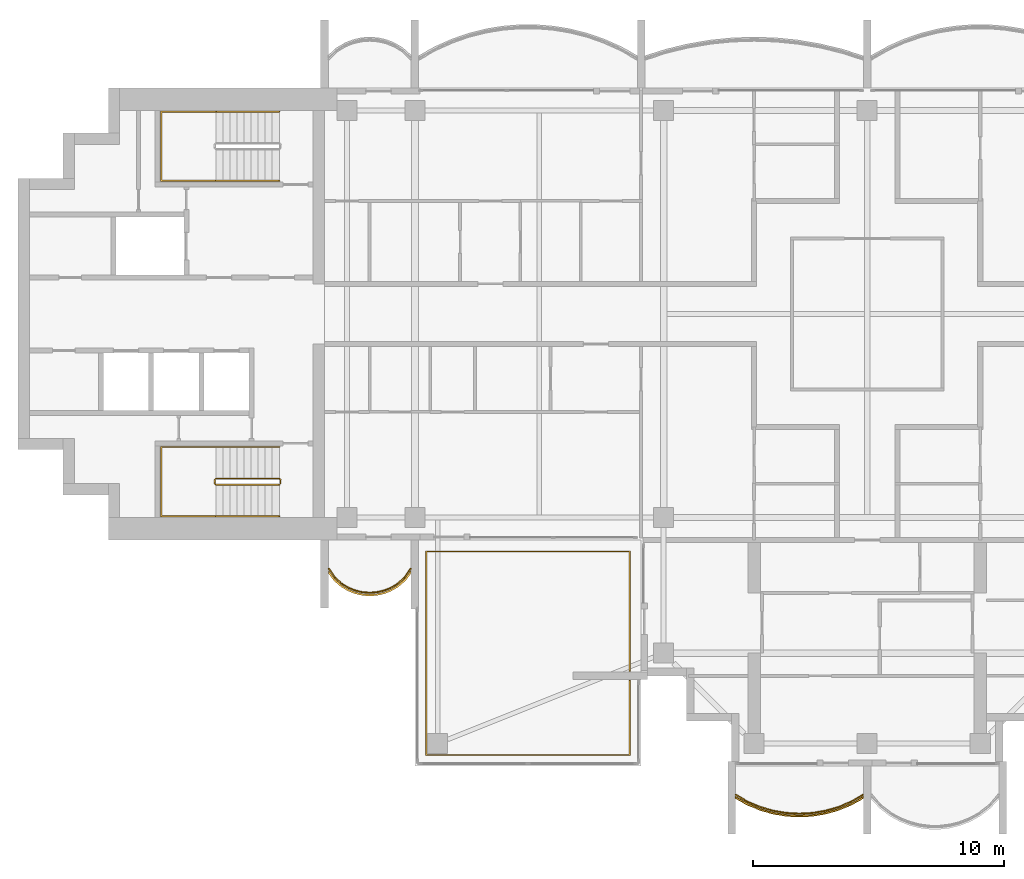
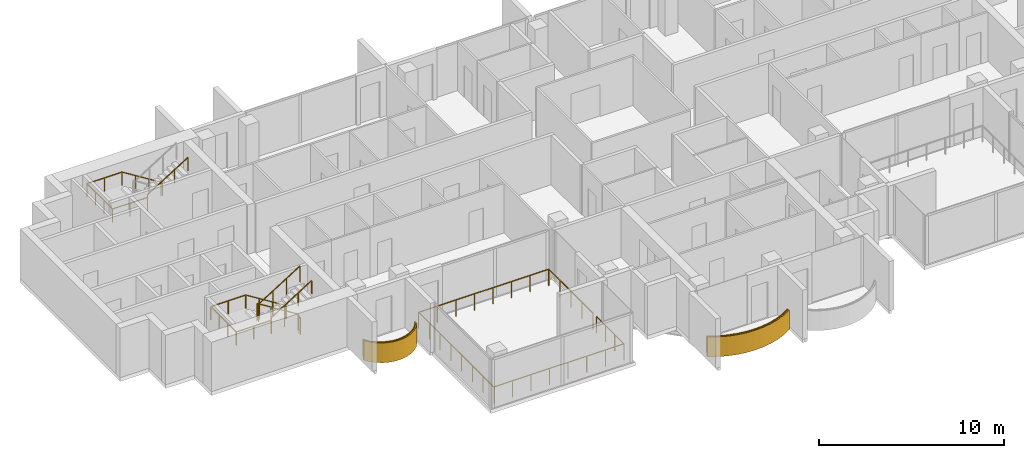
# One storey, part 13 of 16: 6 railings, 2 coverings.
"""IFC4 building model written with IfcOpenShell, lengths in metres."""

import ifcopenshell
import ifcopenshell.guid

model = None  # the IFC model being written
_history = None  # IfcOwnerHistory: only IFC2X3 demands one
_inside = {}  # id of a spatial element -> (the spatial element, [elements in it])
_under = {}  # id of a project, library or spatial element -> (it, [spatial elements below it])
_declared = {}  # id of a project -> (the project, [libraries it declares])
_typed = {}  # id of a type object -> (the type object, [elements of that type])
_made_of = {}  # id of a material, layer set ... -> (it, [elements and type objects made of it])


def new_model(schema):
    """Start an empty IFC model of exactly this schema.

    Asked for "IFC4X3", IfcOpenShell would pick the latest addendum, in which some entities
    have other attributes; the version numbers below select the first issue.
    IFC2X3 requires an IfcOwnerHistory on every rooted entity: one is made here for all.
    """
    global model, _history
    if schema == "IFC4X3":
        model = ifcopenshell.file(schema_version=(4, 3, 0, 0))
    else:
        model = ifcopenshell.file(schema=schema)
    _inside.clear()
    _under.clear()
    _declared.clear()
    _typed.clear()
    _made_of.clear()
    _history = None
    if model.schema == "IFC2X3":
        org = make("IfcOrganization", Name="unknown")
        user = make(
            "IfcPersonAndOrganization",
            ThePerson=make("IfcPerson", FamilyName="unknown"),
            TheOrganization=org,
        )
        app = make(
            "IfcApplication",
            ApplicationDeveloper=org,
            Version="unknown",
            ApplicationFullName="unknown",
            ApplicationIdentifier="unknown",
        )
        _history = make(
            "IfcOwnerHistory",
            OwningUser=user,
            OwningApplication=app,
            ChangeAction="ADDED",
            CreationDate=0,
        )
    return model


def make(cls, **values):
    """One entity of the class cls with the attributes given. An attribute that is None is left unset."""
    return model.create_entity(
        cls, **{name: value for name, value in values.items() if value is not None}
    )


def rooted(cls, **values):
    """An entity with a GlobalId (a new one), such as an element, a storey or a relation."""
    return make(cls, GlobalId=ifcopenshell.guid.new(), OwnerHistory=_history, **values)


def si_unit(unit_type, name, prefix=None):
    """IfcSIUnit, for example si_unit("LENGTHUNIT", "METRE", prefix="MILLI")."""
    return make("IfcSIUnit", UnitType=unit_type, Prefix=prefix, Name=name)


def assignment(units):
    """IfcUnitAssignment: the units of a project."""
    return None if units is None else make("IfcUnitAssignment", Units=units)


def point(xyz):
    """IfcCartesianPoint."""
    return None if xyz is None else make("IfcCartesianPoint", Coordinates=xyz)


def direction(xyz):
    """IfcDirection."""
    return None if xyz is None else make("IfcDirection", DirectionRatios=xyz)


def frame(location, z_axis=None, x_axis=None):
    """IfcAxis2Placement3D, a coordinate frame: its origin and axes. An axis left out is left unset."""
    return make(
        "IfcAxis2Placement3D",
        Location=point(location),
        Axis=direction(z_axis),
        RefDirection=direction(x_axis),
    )


def frame_2d(location, x_axis=None):
    """IfcAxis2Placement2D, a coordinate frame in the plane: its origin and x axis."""
    return make(
        "IfcAxis2Placement2D", Location=point(location), RefDirection=direction(x_axis)
    )


def origin():
    """The frame at (0, 0, 0) with its axes left unset."""
    return frame((0.0, 0.0, 0.0))


def origin_2d():
    """The frame at (0, 0) in the plane with its x axis left unset."""
    return frame_2d((0.0, 0.0))


def place(relative_to, where):
    """IfcLocalPlacement: puts the frame where relative to a parent placement (None: the world)."""
    return make(
        "IfcLocalPlacement", PlacementRelTo=relative_to, RelativePlacement=where
    )


def context(
    kind, dimensions, precision=None, world=None, true_north=None, identifier=None
):
    """IfcGeometricRepresentationContext, for example the 3D "Model" context."""
    return make(
        "IfcGeometricRepresentationContext",
        ContextIdentifier=identifier,
        ContextType=kind,
        CoordinateSpaceDimension=dimensions,
        Precision=precision,
        WorldCoordinateSystem=world,
        TrueNorth=true_north,
    )


def subcontext(parent, identifier, kind, view, scale=None):
    """IfcGeometricRepresentationSubContext, for example "Body" below "Model"."""
    return make(
        "IfcGeometricRepresentationSubContext",
        ContextIdentifier=identifier,
        ContextType=kind,
        ParentContext=parent,
        TargetScale=scale,
        TargetView=view,
    )


def project(units=None, contexts=None):
    """IfcProject with its units and contexts."""
    return rooted(
        "IfcProject",
        Name="project",
        RepresentationContexts=contexts,
        UnitsInContext=assignment(units),
    )


def spatial(cls, under=None, at=None, **own):
    """A site, building, storey or space (cls), placed at a placement, below another one or the project."""
    s = rooted(cls, ObjectPlacement=at, **own)
    if under is not None:
        _under.setdefault(under.id(), (under, []))[1].append(s)
    return s


def polyline(points):
    """IfcPolyline through the points."""
    return make("IfcPolyline", Points=[point(p) for p in points])


def profile(cls, at=None, kind="AREA", **sizes):
    """A parametric profile (cls). Its sizes go by their IFC names, for example OverallWidth=200.0."""
    return make(cls, ProfileType=kind, Position=at, **sizes)


def rectangle(**sizes):
    """IfcRectangleProfileDef."""
    return profile("IfcRectangleProfileDef", **sizes)


def outline(outer, holes=None, kind="AREA"):
    """IfcArbitraryClosedProfileDef: a profile drawn as a closed curve; with holes, ...WithVoids."""
    if holes is None:
        return make("IfcArbitraryClosedProfileDef", ProfileType=kind, OuterCurve=outer)
    return make(
        "IfcArbitraryProfileDefWithVoids",
        ProfileType=kind,
        OuterCurve=outer,
        InnerCurves=holes,
    )


def extrude(swept, where, along, depth):
    """IfcExtrudedAreaSolid: the profile swept, set in the frame where, extruded along a direction by depth."""
    return make(
        "IfcExtrudedAreaSolid",
        SweptArea=swept,
        Position=where,
        ExtrudedDirection=direction(along),
        Depth=depth,
    )


def shape(context_of_items, identifier, shape_type, items):
    """IfcShapeRepresentation: the items that make up one representation, for example the "Body"."""
    return make(
        "IfcShapeRepresentation",
        ContextOfItems=context_of_items,
        RepresentationIdentifier=identifier,
        RepresentationType=shape_type,
        Items=items,
    )


def material(Name=None, Category=None):
    """IfcMaterial."""
    return make("IfcMaterial", Name=Name, Category=Category)


def layer(
    of_material, thickness, ventilated=None, Name=None, Category=None, Priority=None
):
    """IfcMaterialLayer: one layer of a wall or slab, of a material (None: an air gap)."""
    return make(
        "IfcMaterialLayer",
        Material=of_material,
        LayerThickness=thickness,
        IsVentilated=ventilated,
        Name=Name,
        Category=Category,
        Priority=Priority,
    )


def layer_set(layers, Name=None):
    """IfcMaterialLayerSet."""
    return make("IfcMaterialLayerSet", MaterialLayers=layers, LayerSetName=Name)


def made_of(thing, what):
    """Note that an element or type object is made of a material, layer set ...; save() writes the relation."""
    if what is not None:
        _made_of.setdefault(what.id(), (what, []))[1].append(thing)
    return thing


def type_object(cls, material=None, **own):
    """A type object (cls), such as IfcWallType, which elements share."""
    return made_of(rooted(cls, **own), material)


def element(
    cls,
    number,
    at=None,
    inside=None,
    cuts=None,
    type_object=None,
    material=None,
    context=None,
    identifier="Body",
    shape_type=None,
    held_by="IfcProductDefinitionShape",
    body=None,
    shapes=None,
    **own,
):
    """One element of the class cls, such as IfcWall. Its Tag is "e" and its number.

    at: its placement. inside: the storey or other place that contains it. cuts: it is an
    opening in that element (IfcRelVoidsElement). A single representation is given by context,
    identifier, shape_type and body (its items); several are given by shapes. held_by: the class
    of the entity that holds the representations. save() writes the other relations.
    """
    e = rooted(cls, Tag="e%d" % number, ObjectPlacement=at, **own)
    if body is not None:
        shapes = [shape(context, identifier, shape_type, body)]
    if shapes is not None:
        e.Representation = make(held_by, Representations=shapes)
    if inside is not None:
        _inside.setdefault(inside.id(), (inside, []))[1].append(e)
    if cuts is not None:
        rooted(
            "IfcRelVoidsElement", RelatingBuildingElement=cuts, RelatedOpeningElement=e
        )
    if type_object is not None:
        _typed.setdefault(type_object.id(), (type_object, []))[1].append(e)
    return made_of(e, material)


def aggregate(whole, parts):
    """IfcRelAggregates: a whole, such as a stair, and the parts it consists of."""
    return rooted("IfcRelAggregates", RelatingObject=whole, RelatedObjects=parts)


def save(model, path):
    """Write the relations noted so far, then the file.

    IfcRelAggregates (storeys below a building ...), IfcRelContainedInSpatialStructure (elements
    in a storey), IfcRelDefinesByType, IfcRelAssociatesMaterial and IfcRelDeclares: one each for
    every whole, place, type object, material and project.
    """
    for whole, parts in _under.values():
        aggregate(whole, parts)
    for where, things in _inside.values():
        rooted(
            "IfcRelContainedInSpatialStructure",
            RelatedElements=things,
            RelatingStructure=where,
        )
    for kind, things in _typed.values():
        rooted("IfcRelDefinesByType", RelatedObjects=things, RelatingType=kind)
    for what, things in _made_of.values():
        rooted("IfcRelAssociatesMaterial", RelatedObjects=things, RelatingMaterial=what)
    for by, libraries in _declared.values():
        rooted("IfcRelDeclares", RelatingContext=by, RelatedDefinitions=libraries)
    model.write(path)


model = new_model("IFC4")

# Units and contexts
model_context = context("Model", 3, precision=1e-05, world=origin(), true_north=direction((0.0, 1.0)))
body_context = subcontext(model_context, "Body", "Model", "MODEL_VIEW")
ifc_project = project(units=[si_unit("LENGTHUNIT", "METRE"), si_unit("AREAUNIT", "SQUARE_METRE"), si_unit("VOLUMEUNIT", "CUBIC_METRE"), si_unit("PLANEANGLEUNIT", "RADIAN"), si_unit("MASSUNIT", "GRAM", prefix="KILO")], contexts=[model_context])

# Site, building, storey
site_placement = place(None, origin())
site = spatial("IfcSite", under=ifc_project, at=site_placement, CompositionType="ELEMENT")
building_placement = place(site_placement, origin())
building = spatial("IfcBuilding", under=site, at=building_placement, Name="Perihelion Cross Residences", CompositionType="ELEMENT")
storey_placement = place(building_placement, frame((0.0, 0.0, 236.0)))
storey = spatial("IfcBuildingStorey", under=building, at=storey_placement, Name="L59", CompositionType="ELEMENT", Elevation=236.0)

# Coverings
ifc_material_1 = material(Name="Bronze anodised aluminium", Category="aluminium")
ifc_layer = layer(ifc_material_1, 0.070068359375)
ifc_layer_set = layer_set([ifc_layer], Name="Balcony fascia 1300")
covering_type = type_object("IfcCoveringType", Name="Balcony fascia 1300", PredefinedType="CLADDING", material=ifc_layer_set)
covering_1_placement = place(storey_placement, frame((0.0, 0.0, -0.199951171875)))
element("IfcCovering", 1, at=covering_1_placement, inside=storey, type_object=covering_type, Name="Fascia BF1 L59 west side south bay 1", PredefinedType="CLADDING", context=body_context, shape_type="SweptSolid", body=[
    extrude(outline(polyline([(-21.226318359375, -10.616455078125), (-20.94091796875, -10.86328125), (-20.655517578125, -11.031494140625), (-20.370361328125, -11.142578125), (-20.085205078125, -11.206298828125), (-19.800048828125, -11.22705078125), (-19.514892578125, -11.206298828125), (-19.229736328125, -11.142578125), (-18.9443359375, -11.031494140625), (-18.6591796875, -10.86328125), (-18.373779296875, -10.616455078125), (-18.14990234375, -10.31689453125), (-18.14990234375, -10.199951171875), (-18.425048828125, -10.568603515625), (-18.699951171875, -10.806396484375), (-18.97509765625, -10.96875), (-19.25, -11.07568359375), (-19.52490234375, -11.136962890625), (-19.800048828125, -11.156982421875), (-20.074951171875, -11.136962890625), (-20.35009765625, -11.07568359375), (-20.625, -10.96875), (-20.89990234375, -10.806396484375), (-21.175048828125, -10.568603515625), (-21.449951171875, -10.199951171875), (-21.449951171875, -10.31689453125), (-21.226318359375, -10.616455078125)])), origin(), (0.0, 0.0, 1.0), 1.300048828125),
])
covering_2_placement = place(storey_placement, frame((0.0, 0.0, -0.199951171875)))
element("IfcCovering", 2, at=covering_2_placement, inside=storey, type_object=covering_type, Name="Fascia BF1 L59 south tip south bay 1", PredefinedType="CLADDING", context=body_context, shape_type="SweptSolid", body=[
    extrude(outline(polyline([(-4.7705078125, -19.54833984375), (-4.2529296875, -19.7607421875), (-3.735107421875, -19.906494140625), (-3.217529296875, -19.991943359375), (-2.699951171875, -20.02001953125), (-2.182373046875, -19.991943359375), (-1.664794921875, -19.906494140625), (-1.147216796875, -19.7607421875), (-0.629638671875, -19.54833984375), (-0.14990234375, -19.2802734375), (-0.14990234375, -19.199951171875), (-0.659912109375, -19.4853515625), (-1.169921875, -19.694580078125), (-1.679931640625, -19.838134765625), (-2.18994140625, -19.92236328125), (-2.699951171875, -19.949951171875), (-3.2099609375, -19.92236328125), (-3.719970703125, -19.838134765625), (-4.22998046875, -19.694580078125), (-4.739990234375, -19.4853515625), (-5.25, -19.199951171875), (-5.25, -19.2802734375), (-4.7705078125, -19.54833984375)])), origin(), (0.0, 0.0, 1.0), 1.300048828125),
])

# Railings
ifc_material_2 = material(Name="Bronze anodised aluminium", Category="aluminium")
railing_type_1 = type_object("IfcRailingType", Name="Balcony guard 1100", PredefinedType="GUARDRAIL", material=ifc_material_2)
railing_1_placement = place(storey_placement, frame((-21.425048828125, -10.139892578125, 0.0)))
element("IfcRailing", 3, at=railing_1_placement, inside=storey, type_object=railing_type_1, Name="Guard GU1 L59 west side south bay 1 balcony", PredefinedType="GUARDRAIL", context=body_context, shape_type="SweptSolid", body=[
    extrude(rectangle(XDim=0.048095703125, YDim=0.048095703125, at=origin_2d()), frame((0.0, 0.0, 1.076171875), z_axis=(0.561260132269, -0.827639452857, 0.0), x_axis=(0.827639452857, 0.561260132269, 0.0)), (0.0, 0.0, 1.0), 0.4453125),
    extrude(rectangle(XDim=0.048095703125, YDim=0.048095703125, at=origin_2d()), frame((0.25, -0.36865234375, 1.076171875), z_axis=(0.756596535164, -0.653882009982, 0.0), x_axis=(0.653882009982, 0.756596535164, 0.0)), (0.0, 0.0, 1.0), 0.36376953125),
    extrude(rectangle(XDim=0.048095703125, YDim=0.048095703125, at=origin_2d()), frame((0.525146484375, -0.6064453125, 1.076171875), z_axis=(0.861048292884, -0.508523192511, 0.0), x_axis=(0.508523192511, 0.861048292884, 0.0)), (0.0, 0.0, 1.0), 0.3193359375),
    extrude(rectangle(XDim=0.048095703125, YDim=0.048095703125, at=origin_2d()), frame((0.800048828125, -0.768798828125, 1.076171875), z_axis=(0.931973602183, -0.362526143656, 0.0), x_axis=(0.362526143656, 0.931973602183, 0.0)), (0.0, 0.0, 1.0), 0.294921875),
    extrude(rectangle(XDim=0.048095703125, YDim=0.048095703125, at=origin_2d()), frame((1.074951171875, -0.875732421875, 1.076171875), z_axis=(0.976085059389, -0.21738895289, 0.0), x_axis=(0.21738895289, 0.976085059389, 0.0)), (0.0, 0.0, 1.0), 0.281982421875),
    extrude(rectangle(XDim=0.048095703125, YDim=0.048095703125, at=origin_2d()), frame((1.35009765625, -0.93701171875, 1.076171875), z_axis=(0.997358821833, -0.072631814734, 0.0), x_axis=(0.072631814734, 0.997358821833, 0.0)), (0.0, 0.0, 1.0), 0.275634765625),
    extrude(rectangle(XDim=0.048095703125, YDim=0.048095703125, at=origin_2d()), frame((1.625, -0.95703125, 1.076171875), z_axis=(0.997363488337, 0.072567707226, 0.0), x_axis=(-0.072567707226, 0.997363488337, 0.0)), (0.0, 0.0, 1.0), 0.27587890625),
    extrude(rectangle(XDim=0.048095703125, YDim=0.048095703125, at=origin_2d()), frame((1.900146484375, -0.93701171875, 1.076171875), z_axis=(0.976044077717, 0.217572880557, 0.0), x_axis=(-0.217572880557, 0.976044077717, 0.0)), (0.0, 0.0, 1.0), 0.28173828125),
    extrude(rectangle(XDim=0.048095703125, YDim=0.048095703125, at=origin_2d()), frame((2.175048828125, -0.875732421875, 1.076171875), z_axis=(0.931973602183, 0.362526143656, 0.0), x_axis=(-0.362526143656, 0.931973602183, 0.0)), (0.0, 0.0, 1.0), 0.294921875),
    extrude(rectangle(XDim=0.048095703125, YDim=0.048095703125, at=origin_2d()), frame((2.449951171875, -0.768798828125, 1.076171875), z_axis=(0.861245845072, 0.508188542123, 0.0), x_axis=(-0.508188542123, 0.861245845072, 0.0)), (0.0, 0.0, 1.0), 0.319580078125),
    extrude(rectangle(XDim=0.048095703125, YDim=0.048095703125, at=origin_2d()), frame((2.72509765625, -0.6064453125, 1.076171875), z_axis=(0.756309278473, 0.654214242658, 0.0), x_axis=(-0.654214242658, 0.756309278473, 0.0)), (0.0, 0.0, 1.0), 0.363525390625),
    extrude(rectangle(XDim=0.048095703125, YDim=0.048095703125, at=origin_2d()), frame((3.0, -0.36865234375, 1.076171875), z_axis=(0.561260132269, 0.827639452857, 0.0), x_axis=(-0.827639452857, 0.561260132269, 0.0)), (0.0, 0.0, 1.0), 0.4453125),
    extrude(rectangle(XDim=0.0419921875, YDim=0.0419921875, at=origin_2d()), origin(), (0.0, 0.0, 1.0), 1.052001953125),
    extrude(rectangle(XDim=0.0419921875, YDim=0.0419921875, at=origin_2d()), frame((0.25, -0.36865234375, 0.0)), (0.0, 0.0, 1.0), 1.052001953125),
    extrude(rectangle(XDim=0.0419921875, YDim=0.0419921875, at=origin_2d()), frame((0.525146484375, -0.6064453125, 0.0)), (0.0, 0.0, 1.0), 1.052001953125),
    extrude(rectangle(XDim=0.0419921875, YDim=0.0419921875, at=origin_2d()), frame((0.800048828125, -0.768798828125, 0.0)), (0.0, 0.0, 1.0), 1.052001953125),
    extrude(rectangle(XDim=0.0419921875, YDim=0.0419921875, at=origin_2d()), frame((1.074951171875, -0.875732421875, 0.0)), (0.0, 0.0, 1.0), 1.052001953125),
    extrude(rectangle(XDim=0.0419921875, YDim=0.0419921875, at=origin_2d()), frame((1.35009765625, -0.93701171875, 0.0)), (0.0, 0.0, 1.0), 1.052001953125),
    extrude(rectangle(XDim=0.0419921875, YDim=0.0419921875, at=origin_2d()), frame((1.625, -0.95703125, 0.0)), (0.0, 0.0, 1.0), 1.052001953125),
    extrude(rectangle(XDim=0.0419921875, YDim=0.0419921875, at=origin_2d()), frame((1.900146484375, -0.93701171875, 0.0)), (0.0, 0.0, 1.0), 1.052001953125),
    extrude(rectangle(XDim=0.0419921875, YDim=0.0419921875, at=origin_2d()), frame((2.175048828125, -0.875732421875, 0.0)), (0.0, 0.0, 1.0), 1.052001953125),
    extrude(rectangle(XDim=0.0419921875, YDim=0.0419921875, at=origin_2d()), frame((2.449951171875, -0.768798828125, 0.0)), (0.0, 0.0, 1.0), 1.052001953125),
    extrude(rectangle(XDim=0.0419921875, YDim=0.0419921875, at=origin_2d()), frame((2.72509765625, -0.6064453125, 0.0)), (0.0, 0.0, 1.0), 1.052001953125),
    extrude(rectangle(XDim=0.0419921875, YDim=0.0419921875, at=origin_2d()), frame((3.0, -0.36865234375, 0.0)), (0.0, 0.0, 1.0), 1.052001953125),
    extrude(rectangle(XDim=0.0419921875, YDim=0.0419921875, at=origin_2d()), frame((3.25, 0.0, 0.0)), (0.0, 0.0, 1.0), 1.052001953125),
])
railing_2_placement = place(storey_placement, frame((-5.22509765625, -19.139892578125, 0.0)))
element("IfcRailing", 4, at=railing_2_placement, inside=storey, type_object=railing_type_1, Name="Guard GU1 L59 south tip south bay 1 balcony", PredefinedType="GUARDRAIL", context=body_context, shape_type="SweptSolid", body=[
    extrude(rectangle(XDim=0.048095703125, YDim=0.048095703125, at=origin_2d()), frame((0.0, 0.0, 1.076171875), z_axis=(0.861900760591, -0.507076995033, 0.0), x_axis=(0.507076995033, 0.861900760591, 0.0)), (0.0, 0.0, 1.0), 0.562744140625),
    extrude(rectangle(XDim=0.048095703125, YDim=0.048095703125, at=origin_2d()), frame((0.485107421875, -0.285400390625, 1.076171875), z_axis=(0.925172605972, -0.379546636342, 0.0), x_axis=(0.379546636342, 0.925172605972, 0.0)), (0.0, 0.0, 1.0), 0.55126953125),
    extrude(rectangle(XDim=0.048095703125, YDim=0.048095703125, at=origin_2d()), frame((0.9951171875, -0.49462890625, 1.076171875), z_axis=(0.962474364231, -0.271372618732, 0.0), x_axis=(0.271372618732, 0.962474364231, 0.0)), (0.0, 0.0, 1.0), 0.52978515625),
    extrude(rectangle(XDim=0.048095703125, YDim=0.048095703125, at=origin_2d()), frame((1.505126953125, -0.638427734375, 1.076171875), z_axis=(0.986711211531, -0.162483799314, 0.0), x_axis=(0.162483799314, 0.986711211531, 0.0)), (0.0, 0.0, 1.0), 0.516845703125),
    extrude(rectangle(XDim=0.048095703125, YDim=0.048095703125, at=origin_2d()), frame((2.01513671875, -0.722412109375, 1.076171875), z_axis=(0.998540183677, -0.05401390175, 0.0), x_axis=(0.05401390175, 0.998540183677, 0.0)), (0.0, 0.0, 1.0), 0.5107421875),
    extrude(rectangle(XDim=0.048095703125, YDim=0.048095703125, at=origin_2d()), frame((2.525146484375, -0.75, 1.076171875), z_axis=(0.998540183677, 0.05401390175, 0.0), x_axis=(-0.05401390175, 0.998540183677, 0.0)), (0.0, 0.0, 1.0), 0.5107421875),
    extrude(rectangle(XDim=0.048095703125, YDim=0.048095703125, at=origin_2d()), frame((3.03515625, -0.722412109375, 1.076171875), z_axis=(0.986711211531, 0.162483799314, 0.0), x_axis=(-0.162483799314, 0.986711211531, 0.0)), (0.0, 0.0, 1.0), 0.516845703125),
    extrude(rectangle(XDim=0.048095703125, YDim=0.048095703125, at=origin_2d()), frame((3.545166015625, -0.638427734375, 1.076171875), z_axis=(0.962474364231, 0.271372618732, 0.0), x_axis=(-0.271372618732, 0.962474364231, 0.0)), (0.0, 0.0, 1.0), 0.52978515625),
    extrude(rectangle(XDim=0.048095703125, YDim=0.048095703125, at=origin_2d()), frame((4.05517578125, -0.49462890625, 1.076171875), z_axis=(0.925172605972, 0.379546636342, 0.0), x_axis=(-0.379546636342, 0.925172605972, 0.0)), (0.0, 0.0, 1.0), 0.55126953125),
    extrude(rectangle(XDim=0.048095703125, YDim=0.048095703125, at=origin_2d()), frame((4.565185546875, -0.285400390625, 1.076171875), z_axis=(0.861789164031, 0.507266632806, 0.0), x_axis=(-0.507266632806, 0.861789164031, 0.0)), (0.0, 0.0, 1.0), 0.562744140625),
    extrude(rectangle(XDim=0.0419921875, YDim=0.0419921875, at=origin_2d()), origin(), (0.0, 0.0, 1.0), 1.052001953125),
    extrude(rectangle(XDim=0.0419921875, YDim=0.0419921875, at=origin_2d()), frame((0.485107421875, -0.285400390625, 0.0)), (0.0, 0.0, 1.0), 1.052001953125),
    extrude(rectangle(XDim=0.0419921875, YDim=0.0419921875, at=origin_2d()), frame((0.9951171875, -0.49462890625, 0.0)), (0.0, 0.0, 1.0), 1.052001953125),
    extrude(rectangle(XDim=0.0419921875, YDim=0.0419921875, at=origin_2d()), frame((1.505126953125, -0.638427734375, 0.0)), (0.0, 0.0, 1.0), 1.052001953125),
    extrude(rectangle(XDim=0.0419921875, YDim=0.0419921875, at=origin_2d()), frame((2.01513671875, -0.722412109375, 0.0)), (0.0, 0.0, 1.0), 1.052001953125),
    extrude(rectangle(XDim=0.0419921875, YDim=0.0419921875, at=origin_2d()), frame((2.525146484375, -0.75, 0.0)), (0.0, 0.0, 1.0), 1.052001953125),
    extrude(rectangle(XDim=0.0419921875, YDim=0.0419921875, at=origin_2d()), frame((3.03515625, -0.722412109375, 0.0)), (0.0, 0.0, 1.0), 1.052001953125),
    extrude(rectangle(XDim=0.0419921875, YDim=0.0419921875, at=origin_2d()), frame((3.545166015625, -0.638427734375, 0.0)), (0.0, 0.0, 1.0), 1.052001953125),
    extrude(rectangle(XDim=0.0419921875, YDim=0.0419921875, at=origin_2d()), frame((4.05517578125, -0.49462890625, 0.0)), (0.0, 0.0, 1.0), 1.052001953125),
    extrude(rectangle(XDim=0.0419921875, YDim=0.0419921875, at=origin_2d()), frame((4.565185546875, -0.285400390625, 0.0)), (0.0, 0.0, 1.0), 1.052001953125),
    extrude(rectangle(XDim=0.0419921875, YDim=0.0419921875, at=origin_2d()), frame((5.050048828125, 0.0, 0.0)), (0.0, 0.0, 1.0), 1.052001953125),
])
railing_3_placement = place(storey_placement, frame((-9.449951171875, -14.590087890625, 0.0)))
element("IfcRailing", 5, at=railing_3_placement, inside=storey, type_object=railing_type_1, Name="Guard GU1 L59 pocket south-west 1", PredefinedType="GUARDRAIL", context=body_context, shape_type="SweptSolid", body=[
    extrude(rectangle(XDim=0.048095703125, YDim=0.048095703125, at=origin_2d()), frame((0.0, 0.0, 1.076171875), z_axis=(0.0, -1.0, 0.0), x_axis=(1.0, 0.0, 0.0)), (0.0, 0.0, 1.0), 2.9599609375),
    extrude(rectangle(XDim=0.048095703125, YDim=0.048095703125, at=origin_2d()), frame((0.0, -2.9599609375, 1.076171875), z_axis=(-1.0, 0.0, 0.0), x_axis=(0.0, -1.0, 0.0)), (0.0, 0.0, 1.0), 8.10009765625),
    extrude(rectangle(XDim=0.048095703125, YDim=0.048095703125, at=origin_2d()), frame((-8.10009765625, -2.9599609375, 1.076171875), z_axis=(0.0, 1.0, 0.0), x_axis=(-1.0, 0.0, 0.0)), (0.0, 0.0, 1.0), 8.10009765625),
    extrude(rectangle(XDim=0.048095703125, YDim=0.048095703125, at=origin_2d()), frame((-8.10009765625, 5.14013671875, 1.076171875), z_axis=(1.0, 0.0, 0.0), x_axis=(0.0, 1.0, 0.0)), (0.0, 0.0, 1.0), 8.10009765625),
    extrude(rectangle(XDim=0.048095703125, YDim=0.048095703125, at=origin_2d()), frame((0.0, 5.14013671875, 1.076171875), z_axis=(0.0, -1.0, 0.0), x_axis=(1.0, 0.0, 0.0)), (0.0, 0.0, 1.0), 4.760009765625),
    extrude(rectangle(XDim=0.0419921875, YDim=0.0419921875, at=origin_2d()), origin(), (0.0, 0.0, 1.0), 1.052001953125),
    extrude(rectangle(XDim=0.0419921875, YDim=0.0419921875, at=origin_2d()), frame((0.0, -0.986572265625, 0.0)), (0.0, 0.0, 1.0), 1.052001953125),
    extrude(rectangle(XDim=0.0419921875, YDim=0.0419921875, at=origin_2d()), frame((0.0, -1.973388671875, 0.0)), (0.0, 0.0, 1.0), 1.052001953125),
    extrude(rectangle(XDim=0.0419921875, YDim=0.0419921875, at=origin_2d()), frame((0.0, -2.9599609375, 0.0)), (0.0, 0.0, 1.0), 1.052001953125),
    extrude(rectangle(XDim=0.0419921875, YDim=0.0419921875, at=origin_2d()), frame((-1.1572265625, -2.9599609375, 0.0)), (0.0, 0.0, 1.0), 1.052001953125),
    extrude(rectangle(XDim=0.0419921875, YDim=0.0419921875, at=origin_2d()), frame((-2.314208984375, -2.9599609375, 0.0)), (0.0, 0.0, 1.0), 1.052001953125),
    extrude(rectangle(XDim=0.0419921875, YDim=0.0419921875, at=origin_2d()), frame((-3.471435546875, -2.9599609375, 0.0)), (0.0, 0.0, 1.0), 1.052001953125),
    extrude(rectangle(XDim=0.0419921875, YDim=0.0419921875, at=origin_2d()), frame((-4.628662109375, -2.9599609375, 0.0)), (0.0, 0.0, 1.0), 1.052001953125),
    extrude(rectangle(XDim=0.0419921875, YDim=0.0419921875, at=origin_2d()), frame((-5.785888671875, -2.9599609375, 0.0)), (0.0, 0.0, 1.0), 1.052001953125),
    extrude(rectangle(XDim=0.0419921875, YDim=0.0419921875, at=origin_2d()), frame((-6.94287109375, -2.9599609375, 0.0)), (0.0, 0.0, 1.0), 1.052001953125),
    extrude(rectangle(XDim=0.0419921875, YDim=0.0419921875, at=origin_2d()), frame((-8.10009765625, -2.9599609375, 0.0)), (0.0, 0.0, 1.0), 1.052001953125),
    extrude(rectangle(XDim=0.0419921875, YDim=0.0419921875, at=origin_2d()), frame((-8.10009765625, -1.802734375, 0.0)), (0.0, 0.0, 1.0), 1.052001953125),
    extrude(rectangle(XDim=0.0419921875, YDim=0.0419921875, at=origin_2d()), frame((-8.10009765625, -0.645751953125, 0.0)), (0.0, 0.0, 1.0), 1.052001953125),
    extrude(rectangle(XDim=0.0419921875, YDim=0.0419921875, at=origin_2d()), frame((-8.10009765625, 0.511474609375, 0.0)), (0.0, 0.0, 1.0), 1.052001953125),
    extrude(rectangle(XDim=0.0419921875, YDim=0.0419921875, at=origin_2d()), frame((-8.10009765625, 1.668701171875, 0.0)), (0.0, 0.0, 1.0), 1.052001953125),
    extrude(rectangle(XDim=0.0419921875, YDim=0.0419921875, at=origin_2d()), frame((-8.10009765625, 2.825927734375, 0.0)), (0.0, 0.0, 1.0), 1.052001953125),
    extrude(rectangle(XDim=0.0419921875, YDim=0.0419921875, at=origin_2d()), frame((-8.10009765625, 3.98291015625, 0.0)), (0.0, 0.0, 1.0), 1.052001953125),
    extrude(rectangle(XDim=0.0419921875, YDim=0.0419921875, at=origin_2d()), frame((-8.10009765625, 5.14013671875, 0.0)), (0.0, 0.0, 1.0), 1.052001953125),
    extrude(rectangle(XDim=0.0419921875, YDim=0.0419921875, at=origin_2d()), frame((-6.94287109375, 5.14013671875, 0.0)), (0.0, 0.0, 1.0), 1.052001953125),
    extrude(rectangle(XDim=0.0419921875, YDim=0.0419921875, at=origin_2d()), frame((-5.785888671875, 5.14013671875, 0.0)), (0.0, 0.0, 1.0), 1.052001953125),
    extrude(rectangle(XDim=0.0419921875, YDim=0.0419921875, at=origin_2d()), frame((-4.628662109375, 5.14013671875, 0.0)), (0.0, 0.0, 1.0), 1.052001953125),
    extrude(rectangle(XDim=0.0419921875, YDim=0.0419921875, at=origin_2d()), frame((-3.471435546875, 5.14013671875, 0.0)), (0.0, 0.0, 1.0), 1.052001953125),
    extrude(rectangle(XDim=0.0419921875, YDim=0.0419921875, at=origin_2d()), frame((-2.314208984375, 5.14013671875, 0.0)), (0.0, 0.0, 1.0), 1.052001953125),
    extrude(rectangle(XDim=0.0419921875, YDim=0.0419921875, at=origin_2d()), frame((-1.1572265625, 5.14013671875, 0.0)), (0.0, 0.0, 1.0), 1.052001953125),
    extrude(rectangle(XDim=0.0419921875, YDim=0.0419921875, at=origin_2d()), frame((0.0, 5.14013671875, 0.0)), (0.0, 0.0, 1.0), 1.052001953125),
    extrude(rectangle(XDim=0.0419921875, YDim=0.0419921875, at=origin_2d()), frame((0.0, 3.9501953125, 0.0)), (0.0, 0.0, 1.0), 1.052001953125),
    extrude(rectangle(XDim=0.0419921875, YDim=0.0419921875, at=origin_2d()), frame((0.0, 2.76025390625, 0.0)), (0.0, 0.0, 1.0), 1.052001953125),
    extrude(rectangle(XDim=0.0419921875, YDim=0.0419921875, at=origin_2d()), frame((0.0, 1.570068359375, 0.0)), (0.0, 0.0, 1.0), 1.052001953125),
    extrude(rectangle(XDim=0.0419921875, YDim=0.0419921875, at=origin_2d()), frame((0.0, 0.380126953125, 0.0)), (0.0, 0.0, 1.0), 1.052001953125),
])
ifc_material_3 = material(Name="Stainless steel", Category="steel")
railing_type_2 = type_object("IfcRailingType", Name="Stair guard 1100", PredefinedType="GUARDRAIL", material=ifc_material_3)
railing_4_placement = place(storey_placement, frame((-23.35009765625, -6.75, 0.0)))
element("IfcRailing", 6, at=railing_4_placement, inside=storey, type_object=railing_type_2, Name="L59 ST-W2 stair guard 1", PredefinedType="GUARDRAIL", context=body_context, shape_type="SweptSolid", body=[
    extrude(rectangle(XDim=0.048095703125, YDim=0.048095703125, at=origin_2d()), frame((0.0, 0.0, 1.076171875), z_axis=(0.0, 1.0, 0.0), x_axis=(-1.0, 0.0, 0.0)), (0.0, 0.0, 1.0), 0.14990234375),
    extrude(rectangle(XDim=0.048095703125, YDim=0.048095703125, at=origin_2d()), frame((0.0, 0.14990234375, 1.076171875), z_axis=(-0.263862480399, 0.265155923931, 0.927399011991), x_axis=(-0.708833529934, -0.705375805398, 0.0)), (0.0, 0.0, 1.0), 0.188720703125),
    extrude(rectangle(XDim=0.048095703125, YDim=0.048095703125, at=origin_2d()), frame((-0.0498046875, 0.199951171875, 1.2509765625), z_axis=(-0.848007534815, 0.0, 0.529984170421), x_axis=(0.0, -1.0, 0.0)), (0.0, 0.0, 1.0), 2.9716796875),
    extrude(rectangle(XDim=0.048095703125, YDim=0.048095703125, at=origin_2d()), frame((-2.56982421875, 0.199951171875, 2.826171875), z_axis=(-0.707106781187, -0.707106781187, 0.0), x_axis=(0.707106781187, -0.707106781187, 0.0)), (0.0, 0.0, 1.0), 0.07080078125),
    extrude(rectangle(XDim=0.048095703125, YDim=0.048095703125, at=origin_2d()), frame((-2.619873046875, 0.14990234375, 2.826171875), z_axis=(0.0, -1.0, 0.0), x_axis=(1.0, 0.0, 0.0)), (0.0, 0.0, 1.0), 0.14990234375),
    extrude(rectangle(XDim=0.048095703125, YDim=0.048095703125, at=origin_2d()), frame((-2.619873046875, 0.0, 2.826171875), z_axis=(0.265065253269, -0.265065253269, 0.927081885822), x_axis=(0.707106781187, 0.707106781187, 0.0)), (0.0, 0.0, 1.0), 0.188720703125),
    extrude(rectangle(XDim=0.048095703125, YDim=0.048095703125, at=origin_2d()), frame((-2.56982421875, -0.050048828125, 3.0009765625), z_axis=(0.848007534815, 0.0, 0.529984170421), x_axis=(0.0, 1.0, 0.0)), (0.0, 0.0, 1.0), 2.9716796875),
    extrude(rectangle(XDim=0.0419921875, YDim=0.0419921875, at=origin_2d()), origin(), (0.0, 0.0, 1.0), 1.052001953125),
    extrude(rectangle(XDim=0.0419921875, YDim=0.0419921875, at=origin_2d()), frame((0.0, 0.14990234375, 0.0)), (0.0, 0.0, 1.0), 1.052001953125),
    extrude(rectangle(XDim=0.0419921875, YDim=0.0419921875, at=origin_2d()), frame((-0.0498046875, 0.199951171875, 0.175048828125)), (0.0, 0.0, 1.0), 1.052001953125),
    extrude(rectangle(XDim=0.0419921875, YDim=0.0419921875, at=origin_2d()), frame((-0.889892578125, 0.199951171875, 0.699951171875)), (0.0, 0.0, 1.0), 1.052001953125),
    extrude(rectangle(XDim=0.0419921875, YDim=0.0419921875, at=origin_2d()), frame((-1.729736328125, 0.199951171875, 1.22509765625)), (0.0, 0.0, 1.0), 1.052001953125),
    extrude(rectangle(XDim=0.0419921875, YDim=0.0419921875, at=origin_2d()), frame((-2.56982421875, 0.199951171875, 1.75)), (0.0, 0.0, 1.0), 1.052001953125),
    extrude(rectangle(XDim=0.0419921875, YDim=0.0419921875, at=origin_2d()), frame((-2.619873046875, 0.14990234375, 1.75)), (0.0, 0.0, 1.0), 1.052001953125),
    extrude(rectangle(XDim=0.0419921875, YDim=0.0419921875, at=origin_2d()), frame((-2.619873046875, 0.0, 1.75)), (0.0, 0.0, 1.0), 1.052001953125),
    extrude(rectangle(XDim=0.0419921875, YDim=0.0419921875, at=origin_2d()), frame((-2.56982421875, -0.050048828125, 1.925048828125)), (0.0, 0.0, 1.0), 1.052001953125),
    extrude(rectangle(XDim=0.0419921875, YDim=0.0419921875, at=origin_2d()), frame((-1.729736328125, -0.050048828125, 2.449951171875)), (0.0, 0.0, 1.0), 1.052001953125),
    extrude(rectangle(XDim=0.0419921875, YDim=0.0419921875, at=origin_2d()), frame((-0.889892578125, -0.050048828125, 2.97509765625)), (0.0, 0.0, 1.0), 1.052001953125),
    extrude(rectangle(XDim=0.0419921875, YDim=0.0419921875, at=origin_2d()), frame((-0.0498046875, -0.050048828125, 3.5)), (0.0, 0.0, 1.0), 1.052001953125),
])
ifc_material_4 = material(Name="Stainless steel", Category="steel")
railing_type_3 = type_object("IfcRailingType", Name="Stair handrail 900", PredefinedType="HANDRAIL", material=ifc_material_4)
railing_5_placement = place(storey_placement, frame((-23.39990234375, 8.050048828125, 0.175048828125)))
element("IfcRailing", 7, at=railing_5_placement, inside=storey, type_object=railing_type_3, Name="L59 ST-W1 stair handrail 1", PredefinedType="HANDRAIL", context=body_context, shape_type="SweptSolid", body=[
    extrude(rectangle(XDim=0.048095703125, YDim=0.048095703125, at=origin_2d()), frame((0.0, 0.0, 0.8759765625), z_axis=(-0.848007534815, 0.0, 0.529984170421), x_axis=(0.0, -1.0, 0.0)), (0.0, 0.0, 1.0), 2.9716796875),
    extrude(rectangle(XDim=0.048095703125, YDim=0.048095703125, at=origin_2d()), frame((-2.52001953125, 0.0, 2.45068359375), z_axis=(-1.0, 0.0, 0.0), x_axis=(0.0, -1.0, 0.0)), (0.0, 0.0, 1.0), 2.18017578125),
    extrude(rectangle(XDim=0.048095703125, YDim=0.048095703125, at=origin_2d()), frame((-4.7001953125, 0.0, 2.45068359375), z_axis=(0.0, -1.0, 0.0), x_axis=(1.0, 0.0, 0.0)), (0.0, 0.0, 1.0), 2.75),
    extrude(rectangle(XDim=0.048095703125, YDim=0.048095703125, at=origin_2d()), frame((-4.7001953125, -2.75, 2.45068359375), z_axis=(1.0, 0.0, 0.0), x_axis=(0.0, 1.0, 0.0)), (0.0, 0.0, 1.0), 2.18017578125),
    extrude(rectangle(XDim=0.048095703125, YDim=0.048095703125, at=origin_2d()), frame((-2.52001953125, -2.75, 2.45068359375), z_axis=(0.0, 0.0, 1.0), x_axis=(1.0, 0.0, 0.0)), (0.0, 0.0, 1.0), 0.175048828125),
    extrude(rectangle(XDim=0.048095703125, YDim=0.048095703125, at=origin_2d()), frame((-2.52001953125, -2.75, 2.6259765625), z_axis=(0.848007534815, 0.0, 0.529984170421), x_axis=(0.0, 1.0, 0.0)), (0.0, 0.0, 1.0), 2.9716796875),
    extrude(rectangle(XDim=0.0419921875, YDim=0.0419921875, at=origin_2d()), origin(), (0.0, 0.0, 1.0), 0.851806640625),
    extrude(rectangle(XDim=0.0419921875, YDim=0.0419921875, at=origin_2d()), frame((-0.840087890625, 0.0, 0.52490234375)), (0.0, 0.0, 1.0), 0.851806640625),
    extrude(rectangle(XDim=0.0419921875, YDim=0.0419921875, at=origin_2d()), frame((-1.679931640625, 0.0, 1.050048828125)), (0.0, 0.0, 1.0), 0.851806640625),
    extrude(rectangle(XDim=0.0419921875, YDim=0.0419921875, at=origin_2d()), frame((-2.52001953125, 0.0, 1.574951171875)), (0.0, 0.0, 1.0), 0.851806640625),
    extrude(rectangle(XDim=0.0419921875, YDim=0.0419921875, at=origin_2d()), frame((-3.610107421875, 0.0, 1.574951171875)), (0.0, 0.0, 1.0), 0.851806640625),
    extrude(rectangle(XDim=0.0419921875, YDim=0.0419921875, at=origin_2d()), frame((-4.7001953125, 0.0, 1.574951171875)), (0.0, 0.0, 1.0), 0.851806640625),
    extrude(rectangle(XDim=0.0419921875, YDim=0.0419921875, at=origin_2d()), frame((-4.7001953125, -0.916748046875, 1.574951171875)), (0.0, 0.0, 1.0), 0.851806640625),
    extrude(rectangle(XDim=0.0419921875, YDim=0.0419921875, at=origin_2d()), frame((-4.7001953125, -1.833251953125, 1.574951171875)), (0.0, 0.0, 1.0), 0.851806640625),
    extrude(rectangle(XDim=0.0419921875, YDim=0.0419921875, at=origin_2d()), frame((-4.7001953125, -2.75, 1.574951171875)), (0.0, 0.0, 1.0), 0.851806640625),
    extrude(rectangle(XDim=0.0419921875, YDim=0.0419921875, at=origin_2d()), frame((-3.610107421875, -2.75, 1.574951171875)), (0.0, 0.0, 1.0), 0.851806640625),
    extrude(rectangle(XDim=0.0419921875, YDim=0.0419921875, at=origin_2d()), frame((-2.52001953125, -2.75, 1.574951171875)), (0.0, 0.0, 1.0), 0.851806640625),
    extrude(rectangle(XDim=0.0419921875, YDim=0.0419921875, at=origin_2d()), frame((-2.52001953125, -2.75, 1.75)), (0.0, 0.0, 1.0), 0.851806640625),
    extrude(rectangle(XDim=0.0419921875, YDim=0.0419921875, at=origin_2d()), frame((-1.679931640625, -2.75, 2.27490234375)), (0.0, 0.0, 1.0), 0.851806640625),
    extrude(rectangle(XDim=0.0419921875, YDim=0.0419921875, at=origin_2d()), frame((-0.840087890625, -2.75, 2.800048828125)), (0.0, 0.0, 1.0), 0.851806640625),
    extrude(rectangle(XDim=0.0419921875, YDim=0.0419921875, at=origin_2d()), frame((0.0, -2.75, 3.324951171875)), (0.0, 0.0, 1.0), 0.851806640625),
])
railing_6_placement = place(storey_placement, frame((-23.39990234375, -5.300048828125, 0.175048828125)))
element("IfcRailing", 8, at=railing_6_placement, inside=storey, type_object=railing_type_3, Name="L59 ST-W2 stair handrail 1", PredefinedType="HANDRAIL", context=body_context, shape_type="SweptSolid", body=[
    extrude(rectangle(XDim=0.048095703125, YDim=0.048095703125, at=origin_2d()), frame((0.0, 0.0, 0.8759765625), z_axis=(-0.848007534815, 0.0, 0.529984170421), x_axis=(0.0, -1.0, 0.0)), (0.0, 0.0, 1.0), 2.9716796875),
    extrude(rectangle(XDim=0.048095703125, YDim=0.048095703125, at=origin_2d()), frame((-2.52001953125, 0.0, 2.45068359375), z_axis=(-1.0, 0.0, 0.0), x_axis=(0.0, -1.0, 0.0)), (0.0, 0.0, 1.0), 2.18017578125),
    extrude(rectangle(XDim=0.048095703125, YDim=0.048095703125, at=origin_2d()), frame((-4.7001953125, 0.0, 2.45068359375), z_axis=(0.0, -1.0, 0.0), x_axis=(1.0, 0.0, 0.0)), (0.0, 0.0, 1.0), 2.75),
    extrude(rectangle(XDim=0.048095703125, YDim=0.048095703125, at=origin_2d()), frame((-4.7001953125, -2.75, 2.45068359375), z_axis=(1.0, 0.0, 0.0), x_axis=(0.0, 1.0, 0.0)), (0.0, 0.0, 1.0), 2.18017578125),
    extrude(rectangle(XDim=0.048095703125, YDim=0.048095703125, at=origin_2d()), frame((-2.52001953125, -2.75, 2.45068359375), z_axis=(0.0, 0.0, 1.0), x_axis=(1.0, 0.0, 0.0)), (0.0, 0.0, 1.0), 0.175048828125),
    extrude(rectangle(XDim=0.048095703125, YDim=0.048095703125, at=origin_2d()), frame((-2.52001953125, -2.75, 2.6259765625), z_axis=(0.848007534815, 0.0, 0.529984170421), x_axis=(0.0, 1.0, 0.0)), (0.0, 0.0, 1.0), 2.9716796875),
    extrude(rectangle(XDim=0.0419921875, YDim=0.0419921875, at=origin_2d()), origin(), (0.0, 0.0, 1.0), 0.851806640625),
    extrude(rectangle(XDim=0.0419921875, YDim=0.0419921875, at=origin_2d()), frame((-0.840087890625, 0.0, 0.52490234375)), (0.0, 0.0, 1.0), 0.851806640625),
    extrude(rectangle(XDim=0.0419921875, YDim=0.0419921875, at=origin_2d()), frame((-1.679931640625, 0.0, 1.050048828125)), (0.0, 0.0, 1.0), 0.851806640625),
    extrude(rectangle(XDim=0.0419921875, YDim=0.0419921875, at=origin_2d()), frame((-2.52001953125, 0.0, 1.574951171875)), (0.0, 0.0, 1.0), 0.851806640625),
    extrude(rectangle(XDim=0.0419921875, YDim=0.0419921875, at=origin_2d()), frame((-3.610107421875, 0.0, 1.574951171875)), (0.0, 0.0, 1.0), 0.851806640625),
    extrude(rectangle(XDim=0.0419921875, YDim=0.0419921875, at=origin_2d()), frame((-4.7001953125, 0.0, 1.574951171875)), (0.0, 0.0, 1.0), 0.851806640625),
    extrude(rectangle(XDim=0.0419921875, YDim=0.0419921875, at=origin_2d()), frame((-4.7001953125, -0.916748046875, 1.574951171875)), (0.0, 0.0, 1.0), 0.851806640625),
    extrude(rectangle(XDim=0.0419921875, YDim=0.0419921875, at=origin_2d()), frame((-4.7001953125, -1.833251953125, 1.574951171875)), (0.0, 0.0, 1.0), 0.851806640625),
    extrude(rectangle(XDim=0.0419921875, YDim=0.0419921875, at=origin_2d()), frame((-4.7001953125, -2.75, 1.574951171875)), (0.0, 0.0, 1.0), 0.851806640625),
    extrude(rectangle(XDim=0.0419921875, YDim=0.0419921875, at=origin_2d()), frame((-3.610107421875, -2.75, 1.574951171875)), (0.0, 0.0, 1.0), 0.851806640625),
    extrude(rectangle(XDim=0.0419921875, YDim=0.0419921875, at=origin_2d()), frame((-2.52001953125, -2.75, 1.574951171875)), (0.0, 0.0, 1.0), 0.851806640625),
    extrude(rectangle(XDim=0.0419921875, YDim=0.0419921875, at=origin_2d()), frame((-2.52001953125, -2.75, 1.75)), (0.0, 0.0, 1.0), 0.851806640625),
    extrude(rectangle(XDim=0.0419921875, YDim=0.0419921875, at=origin_2d()), frame((-1.679931640625, -2.75, 2.27490234375)), (0.0, 0.0, 1.0), 0.851806640625),
    extrude(rectangle(XDim=0.0419921875, YDim=0.0419921875, at=origin_2d()), frame((-0.840087890625, -2.75, 2.800048828125)), (0.0, 0.0, 1.0), 0.851806640625),
    extrude(rectangle(XDim=0.0419921875, YDim=0.0419921875, at=origin_2d()), frame((0.0, -2.75, 3.324951171875)), (0.0, 0.0, 1.0), 0.851806640625),
])

save(model, "model.ifc")
